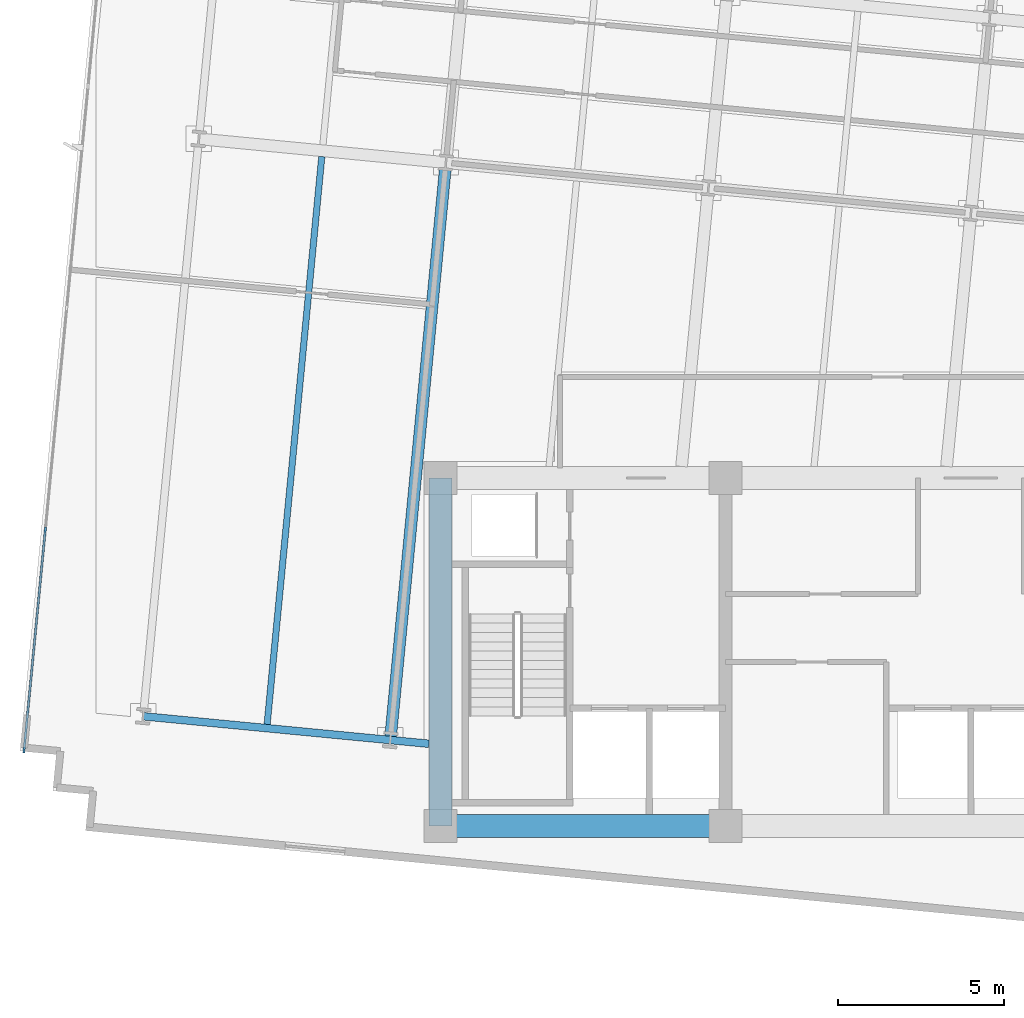
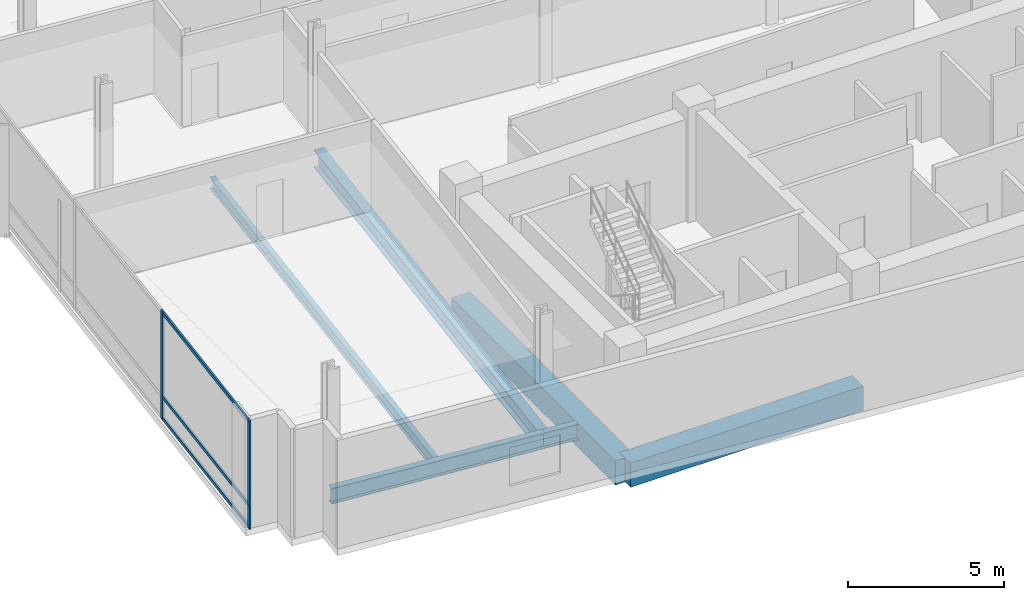
# One storey, part 2 of 17: 6 beams, 5 members, 1 element without a shape of its own.
"""IFC4 building model written with IfcOpenShell, lengths in metres."""

from ifc_helpers import new_model, si_unit, direction, frame, origin, origin_2d, place, context, subcontext, project, spatial, rectangle, i_section, extrude, material, material_profile, profile_set, type_object, element, aggregate, save


model = new_model("IFC4")

# Units and contexts
model_context = context("Model", 3, precision=1e-05, world=origin(), true_north=direction((0.0, 1.0)))
body_context = subcontext(model_context, "Body", "Model", "MODEL_VIEW")
ifc_project = project(units=[si_unit("LENGTHUNIT", "METRE"), si_unit("AREAUNIT", "SQUARE_METRE"), si_unit("VOLUMEUNIT", "CUBIC_METRE"), si_unit("PLANEANGLEUNIT", "RADIAN"), si_unit("MASSUNIT", "GRAM", prefix="KILO")], contexts=[model_context])

# Site, building, storey
site_placement = place(None, origin())
site = spatial("IfcSite", under=ifc_project, at=site_placement, CompositionType="ELEMENT")
building_placement = place(site_placement, origin())
building = spatial("IfcBuilding", under=site, at=building_placement, Name="Solmavex Isthmus Hotel", CompositionType="ELEMENT")
storey_placement = place(building_placement, frame((0.0, 0.0, 177.300048828125)))
storey = spatial("IfcBuildingStorey", under=building, at=storey_placement, Name="L48", CompositionType="ELEMENT", Elevation=177.300048828125)

# Beams
ifc_material_1 = material(Name="Steel ASTM A992 Grade 50", Category="steel")
ifc_material_profile_1 = material_profile(ifc_material_1, i_section(OverallWidth=0.354736328125, OverallDepth=0.695556640625, WebThickness=0.015380859375, FlangeThickness=0.02490234375, FilletRadius=0.017822265625, at=origin_2d()), Name="W27X146")
ifc_profile_set_1 = profile_set([ifc_material_profile_1], Name="Steel ASTM A992 Grade 50")
beam_type_1 = type_object("IfcBeamType", Name="BM-BG-W27X146", PredefinedType="BEAM", material=ifc_profile_set_1)
beam_1_placement = place(storey_placement, frame((-17.503662109375, -10.289306640625, -0.60791015625), z_axis=(0.095840821687, 0.99539667314, 0.0), x_axis=(-0.99539667314, 0.095840821687, 0.0)))
element("IfcBeam", 1, at=beam_1_placement, inside=storey, type_object=beam_type_1, Name="Floor Beam L48-VG24", PredefinedType="BEAM", context=body_context, shape_type="SweptSolid", body=[
    extrude(i_section(OverallWidth=0.354736328125, OverallDepth=0.695556640625, WebThickness=0.015380859375, FlangeThickness=0.02490234375, FilletRadius=0.017822265625, at=origin_2d()), origin(), (0.0, 0.0, 1.0), 17.207275390625),
])
ifc_material_profile_2 = material_profile(ifc_material_1, i_section(OverallWidth=0.1904296875, OverallDepth=0.456787109375, WebThickness=0.009033203125, FlangeThickness=0.014404296875, FilletRadius=0.0126953125, at=origin_2d()), Name="W18X50")
ifc_profile_set_2 = profile_set([ifc_material_profile_2], Name="Steel ASTM A992 Grade 50")
beam_type_2 = type_object("IfcBeamType", Name="BM-BJ-W18X50", PredefinedType="JOIST", material=ifc_profile_set_2)
beam_2_placement = place(storey_placement, frame((-21.23046875, -9.930419921875, -0.488525390625), z_axis=(0.095840821687, 0.99539667314, 0.0), x_axis=(-0.99539667314, 0.095840821687, 0.0)))
element("IfcBeam", 2, at=beam_2_placement, inside=storey, type_object=beam_type_2, Name="Secondary Floor Joist L48-J01", PredefinedType="JOIST", context=body_context, shape_type="SweptSolid", body=[
    extrude(i_section(OverallWidth=0.1904296875, OverallDepth=0.456787109375, WebThickness=0.009033203125, FlangeThickness=0.014404296875, FilletRadius=0.0126953125, at=origin_2d()), origin(), (0.0, 0.0, 1.0), 17.207275390625),
])
ifc_material_2 = material(Name="Concrete C60/75", Category="concrete")
ifc_material_profile_3 = material_profile(ifc_material_2, rectangle(XDim=0.699951171875, YDim=0.949951171875, at=origin_2d()), Name="RC700X950")
ifc_profile_set_3 = profile_set([ifc_material_profile_3], Name="Concrete C60/75")
beam_type_3 = type_object("IfcBeamType", Name="BM-CB-700X950", PredefinedType="BEAM", material=ifc_profile_set_3)
beam_3_placement = place(storey_placement, frame((-16.0, -13.0, -0.735107421875), z_axis=(1.0, 0.0, 0.0), x_axis=(0.0, 1.0, 0.0)))
element("IfcBeam", 3, at=beam_3_placement, inside=storey, type_object=beam_type_3, Name="Core Coupling Beam L48-CB1", PredefinedType="BEAM", context=body_context, shape_type="SweptSolid", body=[
    extrude(rectangle(XDim=0.699951171875, YDim=0.949951171875, at=origin_2d()), origin(), (0.0, 0.0, 1.0), 8.60009765625),
])
beam_4_placement = place(storey_placement, frame((-16.0, -13.0, -0.735107421875), z_axis=(0.0, 1.0, 0.0), x_axis=(-1.0, 0.0, 0.0)))
element("IfcBeam", 4, at=beam_4_placement, inside=storey, type_object=beam_type_3, Name="Core Coupling Beam L48-CB7", PredefinedType="BEAM", context=body_context, shape_type="SweptSolid", body=[
    extrude(rectangle(XDim=0.699951171875, YDim=0.949951171875, at=origin_2d()), origin(), (0.0, 0.0, 1.0), 10.5),
])
ifc_material_profile_4 = material_profile(ifc_material_1, i_section(OverallWidth=0.230224609375, OverallDepth=0.617431640625, WebThickness=0.01318359375, FlangeThickness=0.022216796875, FilletRadius=0.01513671875, at=origin_2d()), Name="W24X94")
ifc_profile_set_4 = profile_set([ifc_material_profile_4], Name="Steel ASTM A992 Grade 50")
beam_type_4 = type_object("IfcBeamType", Name="BM-SP-W24X94", PredefinedType="SPANDREL", material=ifc_profile_set_4)
beam_5_placement = place(storey_placement, frame((-24.96826171875, -9.686279296875, -0.56884765625), z_axis=(0.995395279593, -0.095855293875, 0.0), x_axis=(0.095855293875, 0.995395279593, 0.0)))
element("IfcBeam", 5, at=beam_5_placement, inside=storey, type_object=beam_type_4, Name="Floor Girder L48-UG01", PredefinedType="SPANDREL", context=body_context, shape_type="SweptSolid", body=[
    extrude(i_section(OverallWidth=0.230224609375, OverallDepth=0.617431640625, WebThickness=0.01318359375, FlangeThickness=0.022216796875, FilletRadius=0.01513671875, at=origin_2d()), origin(), (0.0, 0.0, 1.0), 7.488037109375),
])
beam_6_placement = place(storey_placement, frame((-17.5146484375, -10.404052734375, -0.56884765625), z_axis=(0.995402144456, -0.095783979938, 0.0), x_axis=(0.095783979938, 0.995402144456, 0.0)))
element("IfcBeam", 6, at=beam_6_placement, inside=storey, type_object=beam_type_4, Name="Floor Girder L48-UG02", PredefinedType="SPANDREL", context=body_context, shape_type="SweptSolid", body=[
    extrude(i_section(OverallWidth=0.230224609375, OverallDepth=0.617431640625, WebThickness=0.01318359375, FlangeThickness=0.022216796875, FilletRadius=0.01513671875, at=origin_2d()), origin(), (0.0, 0.0, 1.0), 1.169921875),
])

# Curtain wall, members
ifc_material_3 = material(Name="Aluminium alloy 6063-T6", Category="aluminium")
curtain_wall_type = type_object("IfcCurtainWallType", Name="CW-SYS-05", PredefinedType="NOTDEFINED", material=ifc_material_3)
curtain_wall_placement = place(storey_placement, origin())
curtain_wall = element("IfcCurtainWall", 7, at=curtain_wall_placement, inside=storey, type_object=curtain_wall_type, Name="Stick Curtain Wall CWL-L48-W1", PredefinedType="NOTDEFINED")
ifc_material_profile_5 = material_profile(ifc_material_3, rectangle(XDim=0.06494140625, YDim=0.159912109375, at=origin_2d()), Name="CWM-65X160")
ifc_profile_set_5 = profile_set([ifc_material_profile_5], Name="Aluminium alloy 6063-T6")
member_type_1 = type_object("IfcMemberType", Name="CW-SYS-05-MUL", PredefinedType="MULLION", material=ifc_profile_set_5)
member_1_placement = place(storey_placement, frame((-28.563232421875, -10.7138671875, 0.0), z_axis=(0.0, 0.0, 1.0), x_axis=(-0.995396190038, 0.09584583902, 0.0)))
member_1 = element("IfcMember", 8, at=member_1_placement, type_object=member_type_1, Name="CW-05 mullion 1", PredefinedType="MULLION", context=body_context, shape_type="SweptSolid", body=[
    extrude(rectangle(XDim=0.06494140625, YDim=0.159912109375, at=origin_2d()), origin(), (0.0, 0.0, 1.0), 4.239990234375),
])
member_2_placement = place(storey_placement, frame((-27.92236328125, -4.057373046875, 0.0), z_axis=(0.0, 0.0, 1.0), x_axis=(-0.995396190038, 0.09584583902, 0.0)))
member_2 = element("IfcMember", 9, at=member_2_placement, type_object=member_type_1, Name="CW-05 mullion 2", PredefinedType="MULLION", context=body_context, shape_type="SweptSolid", body=[
    extrude(rectangle(XDim=0.06494140625, YDim=0.159912109375, at=origin_2d()), origin(), (0.0, 0.0, 1.0), 4.239990234375),
])
ifc_material_profile_6 = material_profile(ifc_material_3, rectangle(XDim=0.06494140625, YDim=0.125, at=origin_2d()), Name="CWT-65X125")
ifc_profile_set_6 = profile_set([ifc_material_profile_6], Name="Aluminium alloy 6063-T6")
member_type_2 = type_object("IfcMemberType", Name="CW-SYS-05-TRN", PredefinedType="USERDEFINED", material=ifc_profile_set_6)
member_3_placement = place(storey_placement, frame((-28.560302734375, -10.681640625, 0.0625), z_axis=(0.095849383604, 0.995395848727, 0.0), x_axis=(-0.995395848727, 0.095849383604, 0.0)))
member_3 = element("IfcMember", 10, at=member_3_placement, type_object=member_type_2, Name="CW-05 transom 1.1", ObjectType="TRANSOM", PredefinedType="USERDEFINED", context=body_context, shape_type="SweptSolid", body=[
    extrude(rectangle(XDim=0.06494140625, YDim=0.125, at=origin_2d()), origin(), (0.0, 0.0, 1.0), 6.62255859375),
])
member_4_placement = place(storey_placement, frame((-28.560302734375, -10.681640625, 0.89990234375), z_axis=(0.095849383604, 0.995395848727, 0.0), x_axis=(-0.995395848727, 0.095849383604, 0.0)))
member_4 = element("IfcMember", 11, at=member_4_placement, type_object=member_type_2, Name="CW-05 transom 1.2", ObjectType="TRANSOM", PredefinedType="USERDEFINED", context=body_context, shape_type="SweptSolid", body=[
    extrude(rectangle(XDim=0.06494140625, YDim=0.125, at=origin_2d()), origin(), (0.0, 0.0, 1.0), 6.62255859375),
])
member_5_placement = place(storey_placement, frame((-28.560302734375, -10.681640625, 4.177490234375), z_axis=(0.095849383604, 0.995395848727, 0.0), x_axis=(-0.995395848727, 0.095849383604, 0.0)))
member_5 = element("IfcMember", 12, at=member_5_placement, type_object=member_type_2, Name="CW-05 transom 1.3", ObjectType="TRANSOM", PredefinedType="USERDEFINED", context=body_context, shape_type="SweptSolid", body=[
    extrude(rectangle(XDim=0.06494140625, YDim=0.125, at=origin_2d()), origin(), (0.0, 0.0, 1.0), 6.62255859375),
])
aggregate(curtain_wall, [member_1, member_2, member_3, member_4, member_5])

save(model, "model.ifc")
